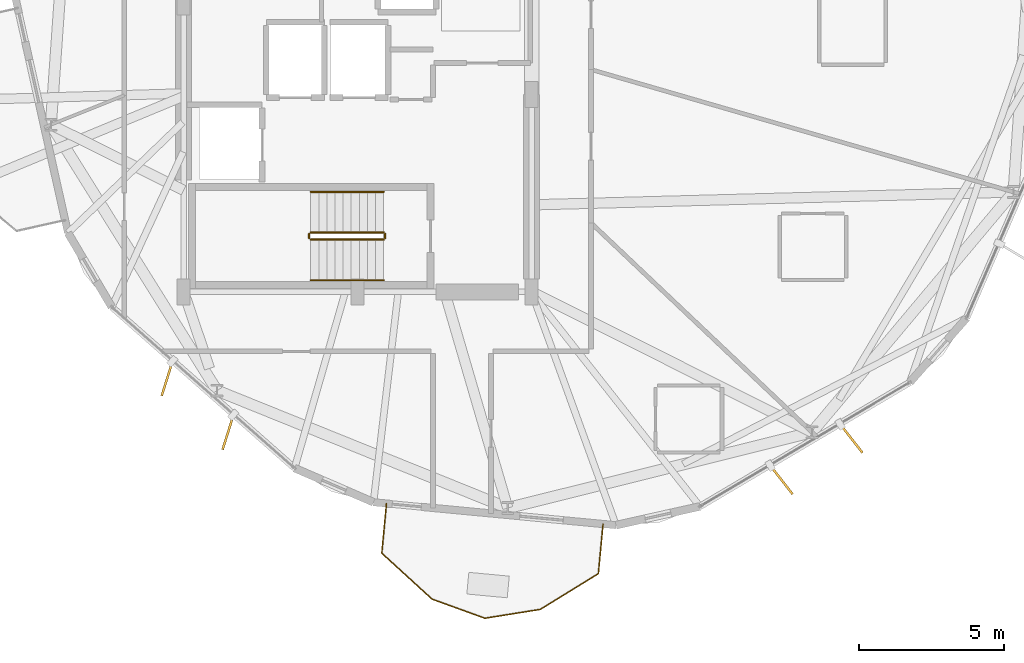
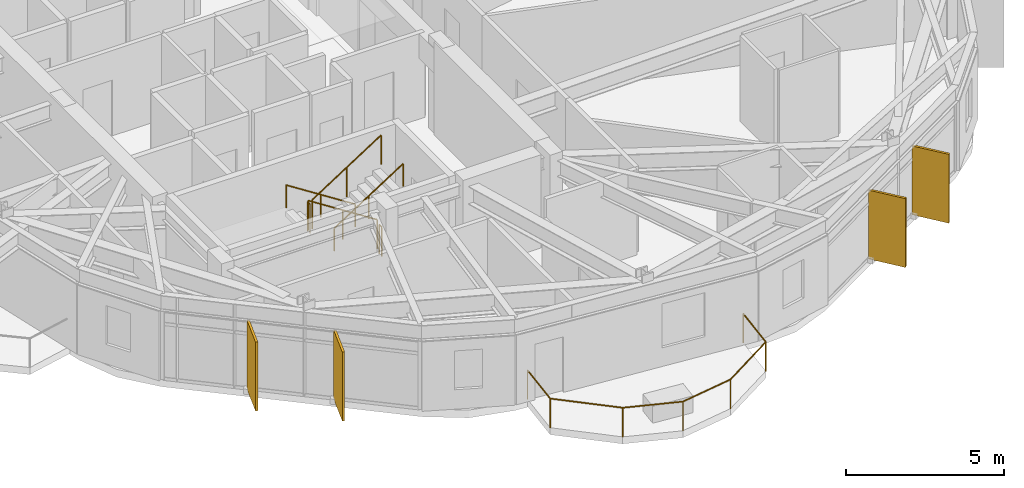
# One storey, part 19 of 21: 7 railings, 4 shading devices.
"""IFC4 building model written with IfcOpenShell, lengths in metres."""

from ifc_helpers import new_model, si_unit, direction, frame, origin, origin_2d, place, context, subcontext, project, spatial, rectangle, circle, extrude, material, layer, layer_set, type_object, element, save


model = new_model("IFC4")

# Units and contexts
model_context = context("Model", 3, precision=1e-05, world=origin(), true_north=direction((0.0, 1.0)))
body_context = subcontext(model_context, "Body", "Model", "MODEL_VIEW")
ifc_project = project(units=[si_unit("LENGTHUNIT", "METRE"), si_unit("AREAUNIT", "SQUARE_METRE"), si_unit("VOLUMEUNIT", "CUBIC_METRE"), si_unit("PLANEANGLEUNIT", "RADIAN"), si_unit("MASSUNIT", "GRAM", prefix="KILO")], contexts=[model_context])

# Site, building, storey
site_placement = place(None, origin())
site = spatial("IfcSite", under=ifc_project, at=site_placement, CompositionType="ELEMENT")
building_placement = place(site_placement, origin())
building = spatial("IfcBuilding", under=site, at=building_placement, Name="Soratama Intermodal Tower", CompositionType="ELEMENT")
storey_placement = place(building_placement, frame((0.0, 0.0, 146.199951171875)))
storey = spatial("IfcBuildingStorey", under=building, at=storey_placement, Name="L35", CompositionType="ELEMENT", Elevation=146.199951171875)

# Railings
ifc_material_1 = material(Name="Laminated glass and stainless steel balustrade", Category="steel")
railing_type_1 = type_object("IfcRailingType", Name="RL-BAL-1150", PredefinedType="BALUSTRADE", material=ifc_material_1)
railing_1_placement = place(storey_placement, frame((47.06689453125, 6.991455078125, 0.0)))
element("IfcRailing", 1, at=railing_1_placement, inside=storey, type_object=railing_type_1, Name="L35 Balcony Balustrade 4", PredefinedType="BALUSTRADE", context=body_context, shape_type="SweptSolid", body=[
    extrude(circle(Radius=0.02392578125, at=origin_2d()), frame((0.0, 0.0, 1.1259765625), z_axis=(-0.094119051689, -0.99556094947, 0.0), x_axis=(0.99556094947, -0.094119051689, 0.0)), (0.0, 0.0, 1.0), 1.7197265625),
    extrude(circle(Radius=0.02392578125, at=origin_2d()), frame((-0.161865234375, -1.712158203125, 1.1259765625), z_axis=(-0.85148707337, -0.524375594287, 0.0), x_axis=(0.524375594287, -0.85148707337, 0.0)), (0.0, 0.0, 1.0), 2.350341796875),
    extrude(circle(Radius=0.02392578125, at=origin_2d()), frame((-2.1630859375, -2.944580078125, 1.1259765625), z_axis=(-0.987439059361, -0.158000329264, 0.0), x_axis=(0.158000329264, -0.987439059361, 0.0)), (0.0, 0.0, 1.0), 1.937744140625),
    extrude(circle(Radius=0.02392578125, at=origin_2d()), frame((-4.076416015625, -3.250732421875, 1.1259765625), z_axis=(-0.940365936561, 0.340164526891, 0.0), x_axis=(-0.340164526891, -0.940365936561, 0.0)), (0.0, 0.0, 1.0), 1.937744140625),
    extrude(circle(Radius=0.02392578125, at=origin_2d()), frame((-5.898681640625, -2.591552734375, 1.1259765625), z_axis=(-0.738127828337, 0.674660884471, 0.0), x_axis=(-0.674660884471, -0.738127828337, 0.0)), (0.0, 0.0, 1.0), 2.350341796875),
    extrude(circle(Radius=0.02392578125, at=origin_2d()), frame((-7.633544921875, -1.005859375, 1.1259765625), z_axis=(0.094105751791, 0.995562206735, 0.0), x_axis=(-0.995562206735, 0.094105751791, 0.0)), (0.0, 0.0, 1.0), 1.719970703125),
    extrude(circle(Radius=0.02099609375, at=origin_2d()), origin(), (0.0, 0.0, 1.0), 1.101806640625),
    extrude(circle(Radius=0.02099609375, at=origin_2d()), frame((-0.161865234375, -1.712158203125, 0.0)), (0.0, 0.0, 1.0), 1.101806640625),
    extrude(circle(Radius=0.02099609375, at=origin_2d()), frame((-2.1630859375, -2.944580078125, 0.0)), (0.0, 0.0, 1.0), 1.101806640625),
    extrude(circle(Radius=0.02099609375, at=origin_2d()), frame((-4.076416015625, -3.250732421875, 0.0)), (0.0, 0.0, 1.0), 1.101806640625),
    extrude(circle(Radius=0.02099609375, at=origin_2d()), frame((-5.898681640625, -2.591552734375, 0.0)), (0.0, 0.0, 1.0), 1.101806640625),
    extrude(circle(Radius=0.02099609375, at=origin_2d()), frame((-7.633544921875, -1.005859375, 0.0)), (0.0, 0.0, 1.0), 1.101806640625),
    extrude(circle(Radius=0.02099609375, at=origin_2d()), frame((-7.4716796875, 0.70654296875, 0.0)), (0.0, 0.0, 1.0), 1.101806640625),
])
ifc_material_2 = material(Name="Painted steel stair guardrail", Category="steel")
railing_type_2 = type_object("IfcRailingType", Name="RL-STAIR-GUARD", PredefinedType="GUARDRAIL", material=ifc_material_2)
railing_2_placement = place(storey_placement, frame((39.5, 17.050048828125, 0.179931640625)))
element("IfcRailing", 2, at=railing_2_placement, inside=storey, type_object=railing_type_2, Name="L35 ST-1 stair guard 1", PredefinedType="GUARDRAIL", context=body_context, shape_type="SweptSolid", body=[
    extrude(circle(Radius=0.02392578125, at=origin_2d()), frame((0.0, 0.0, 1.1259765625), z_axis=(-0.841162588446, 0.0, 0.540782303519), x_axis=(0.0, -1.0, 0.0)), (0.0, 0.0, 1.0), 2.995849609375),
    extrude(circle(Radius=0.02099609375, at=origin_2d()), origin(), (0.0, 0.0, 1.0), 1.101806640625),
    extrude(circle(Radius=0.02099609375, at=origin_2d()), frame((-1.260009765625, 0.0, 0.81005859375)), (0.0, 0.0, 1.0), 1.101806640625),
    extrude(circle(Radius=0.02099609375, at=origin_2d()), frame((-2.52001953125, 0.0, 1.6201171875)), (0.0, 0.0, 1.0), 1.101806640625),
])
railing_3_placement = place(storey_placement, frame((36.929931640625, 17.0, 1.800048828125)))
element("IfcRailing", 3, at=railing_3_placement, inside=storey, type_object=railing_type_2, Name="L35 ST-1 stair guard 2", PredefinedType="GUARDRAIL", context=body_context, shape_type="SweptSolid", body=[
    extrude(circle(Radius=0.02392578125, at=origin_2d()), frame((0.0, 0.0, 1.1259765625), z_axis=(0.0, -1.0, 0.0), x_axis=(1.0, 0.0, 0.0)), (0.0, 0.0, 1.0), 0.14990234375),
    extrude(circle(Radius=0.02099609375, at=origin_2d()), origin(), (0.0, 0.0, 1.0), 1.101806640625),
    extrude(circle(Radius=0.02099609375, at=origin_2d()), frame((0.0, -0.14990234375, 0.0)), (0.0, 0.0, 1.0), 1.101806640625),
])
railing_4_placement = place(storey_placement, frame((36.97998046875, 16.800048828125, 1.97998046875)))
element("IfcRailing", 4, at=railing_4_placement, inside=storey, type_object=railing_type_2, Name="L35 ST-1 stair guard 3", PredefinedType="GUARDRAIL", context=body_context, shape_type="SweptSolid", body=[
    extrude(circle(Radius=0.02392578125, at=origin_2d()), frame((0.0, 0.0, 1.1259765625), z_axis=(0.841162588446, 0.0, 0.540782303519), x_axis=(0.0, 1.0, 0.0)), (0.0, 0.0, 1.0), 2.995849609375),
    extrude(circle(Radius=0.02099609375, at=origin_2d()), origin(), (0.0, 0.0, 1.0), 1.101806640625),
    extrude(circle(Radius=0.02099609375, at=origin_2d()), frame((1.260009765625, 0.0, 0.81005859375)), (0.0, 0.0, 1.0), 1.101806640625),
    extrude(circle(Radius=0.02099609375, at=origin_2d()), frame((2.52001953125, 0.0, 1.6201171875)), (0.0, 0.0, 1.0), 1.101806640625),
])
railing_5_placement = place(storey_placement, frame((39.550048828125, 17.0, 0.0)))
element("IfcRailing", 5, at=railing_5_placement, inside=storey, type_object=railing_type_2, Name="L35 ST-1 stair guard 4", PredefinedType="GUARDRAIL", context=body_context, shape_type="SweptSolid", body=[
    extrude(circle(Radius=0.02392578125, at=origin_2d()), frame((0.0, 0.0, 1.1259765625), z_axis=(0.0, -1.0, 0.0), x_axis=(1.0, 0.0, 0.0)), (0.0, 0.0, 1.0), 0.14990234375),
    extrude(circle(Radius=0.02099609375, at=origin_2d()), origin(), (0.0, 0.0, 1.0), 1.101806640625),
    extrude(circle(Radius=0.02099609375, at=origin_2d()), frame((0.0, -0.14990234375, 0.0)), (0.0, 0.0, 1.0), 1.101806640625),
])
ifc_material_3 = material(Name="Brushed stainless steel handrail", Category="steel")
railing_type_3 = type_object("IfcRailingType", Name="RL-STAIR-HAND", PredefinedType="HANDRAIL", material=ifc_material_3)
railing_6_placement = place(storey_placement, frame((39.5, 18.449951171875, 0.179931640625)))
element("IfcRailing", 6, at=railing_6_placement, inside=storey, type_object=railing_type_3, Name="L35 ST-1 stair handrail 1", PredefinedType="HANDRAIL", context=body_context, shape_type="SweptSolid", body=[
    extrude(circle(Radius=0.02392578125, at=origin_2d()), frame((0.0, 0.0, 0.8759765625), z_axis=(-0.841162588446, 0.0, 0.540782303519), x_axis=(0.0, -1.0, 0.0)), (0.0, 0.0, 1.0), 2.995849609375),
    extrude(circle(Radius=0.02099609375, at=origin_2d()), origin(), (0.0, 0.0, 1.0), 0.851806640625),
    extrude(circle(Radius=0.02099609375, at=origin_2d()), frame((-1.260009765625, 0.0, 0.81005859375)), (0.0, 0.0, 1.0), 0.851806640625),
    extrude(circle(Radius=0.02099609375, at=origin_2d()), frame((-2.52001953125, 0.0, 1.6201171875)), (0.0, 0.0, 1.0), 0.851806640625),
])
railing_7_placement = place(storey_placement, frame((36.97998046875, 15.39990234375, 1.97998046875)))
element("IfcRailing", 7, at=railing_7_placement, inside=storey, type_object=railing_type_3, Name="L35 ST-1 stair handrail 2", PredefinedType="HANDRAIL", context=body_context, shape_type="SweptSolid", body=[
    extrude(circle(Radius=0.02392578125, at=origin_2d()), frame((0.0, 0.0, 0.8759765625), z_axis=(0.841162588446, 0.0, 0.540782303519), x_axis=(0.0, 1.0, 0.0)), (0.0, 0.0, 1.0), 2.995849609375),
    extrude(circle(Radius=0.02099609375, at=origin_2d()), origin(), (0.0, 0.0, 1.0), 0.851806640625),
    extrude(circle(Radius=0.02099609375, at=origin_2d()), frame((1.260009765625, 0.0, 0.81005859375)), (0.0, 0.0, 1.0), 0.851806640625),
    extrude(circle(Radius=0.02099609375, at=origin_2d()), frame((2.52001953125, 0.0, 1.6201171875)), (0.0, 0.0, 1.0), 0.851806640625),
])

# Shading devices
ifc_material_4 = material(Name="Champagne anodised aluminium solar fin", Category="aluminium")
ifc_layer = layer(ifc_material_4, 0.080078125)
ifc_layer_set = layer_set([ifc_layer], Name="Champagne anodised aluminium solar fin")
shading_device_type = type_object("IfcShadingDeviceType", Name="SH-FIN-1250", PredefinedType="USERDEFINED", material=ifc_layer_set)
for number, where, z_axis, x_axis, name in (
    (8, (32.02880859375, 12.00830078125, 0.02001953125), (0.0, 0.0, 1.0), (-0.299040792256, -0.954240328516, 0.0), "L35 Solar Fin F06-1"),
    (9, (34.13037109375, 10.15576171875, 0.02001953125), (0.0, 0.0, 1.0), (-0.299040792256, -0.954240328516, 0.0), "L35 Solar Fin F06-2"),
    (10, (53.218994140625, 8.514404296875, 0.02001953125), (0.0, 0.0, 1.0), (0.615936505456, -0.787795799206, 0.0), "L35 Solar Fin F08-1"),
    (11, (55.63037109375, 9.940673828125, 0.02001953125), (0.0, 0.0, 1.0), (0.615936505456, -0.787795799206, 0.0), "L35 Solar Fin F08-2"),
):
    element("IfcShadingDevice", number, at=place(storey_placement, frame(where, z_axis=z_axis, x_axis=x_axis)), inside=storey, type_object=shading_device_type, Name=name, ObjectType="FIN", PredefinedType="USERDEFINED", context=body_context, shape_type="SweptSolid", body=[
        extrude(rectangle(XDim=1.25, YDim=0.080078125, at=origin_2d()), origin(), (0.0, 0.0, 1.0), 2.658935546875),
    ])

save(model, "model.ifc")
